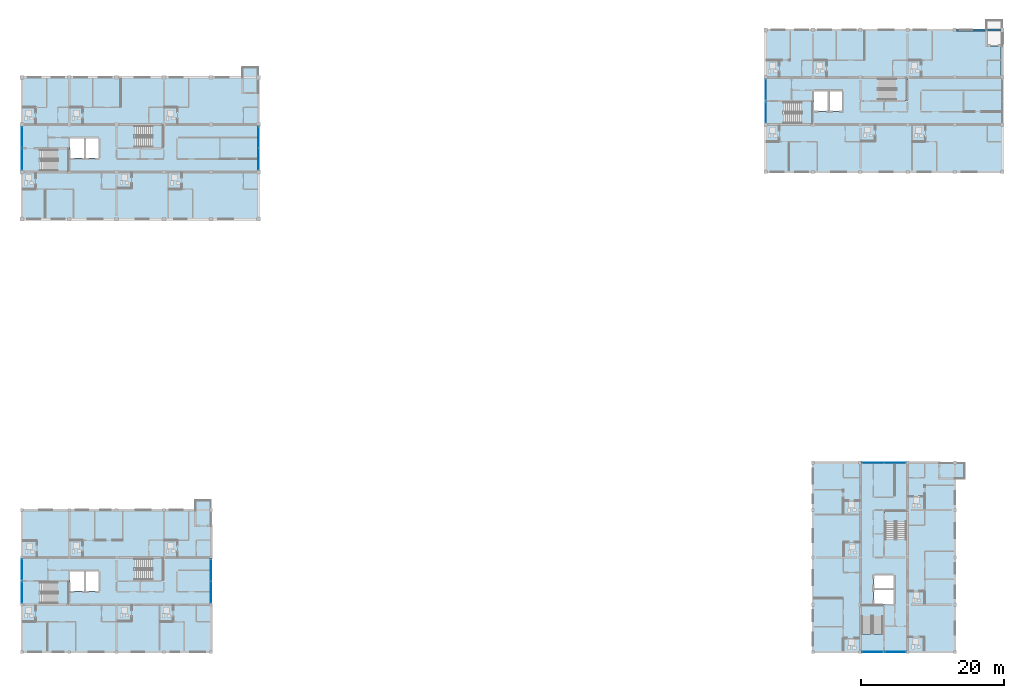
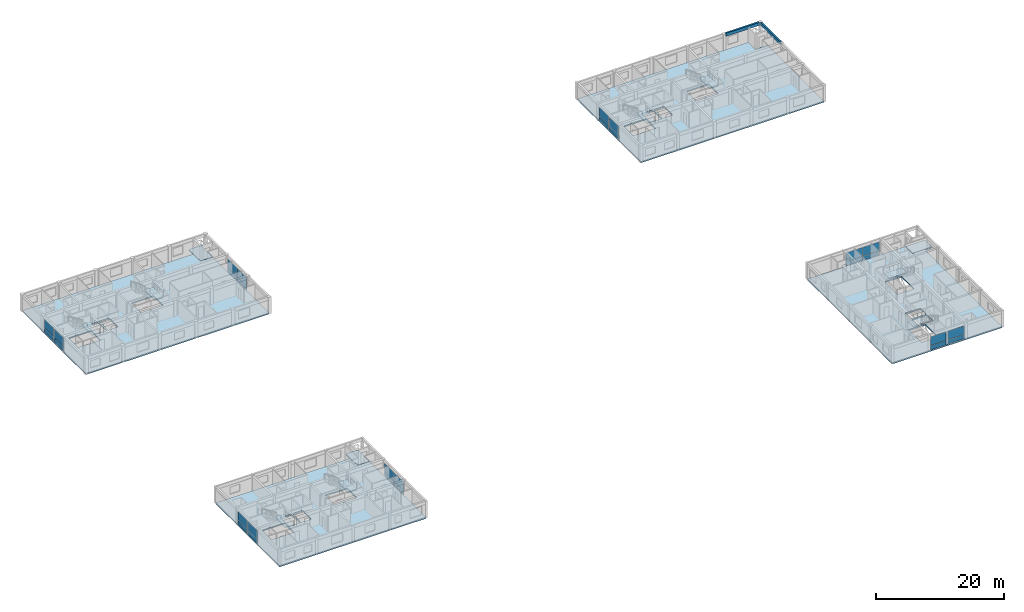
# One storey, part 22 of 45: 28 plates, 15 slabs, 2 beams, 19 elements without a shape of their own.
"""IFC4 building model written with IfcOpenShell, lengths in metres."""

from ifc_helpers import new_model, si_unit, direction, frame, origin, origin_2d, place, context, subcontext, project, spatial, polyline, rectangle, outline, extrude, material, layer, layer_set, material_profile, profile_set, type_object, element, aggregate, save


model = new_model("IFC4")

# Units and contexts
model_context = context("Model", 3, precision=1e-05, world=origin(), true_north=direction((0.0, 1.0)))
body_context = subcontext(model_context, "Body", "Model", "MODEL_VIEW")
ifc_project = project(units=[si_unit("LENGTHUNIT", "METRE"), si_unit("AREAUNIT", "SQUARE_METRE"), si_unit("VOLUMEUNIT", "CUBIC_METRE"), si_unit("PLANEANGLEUNIT", "RADIAN"), si_unit("MASSUNIT", "GRAM", prefix="KILO")], contexts=[model_context])

# Site, building, storey
site_placement = place(None, origin())
site = spatial("IfcSite", under=ifc_project, at=site_placement, CompositionType="ELEMENT")
building_placement = place(site_placement, origin())
building = spatial("IfcBuilding", under=site, at=building_placement, Name="Kernevlak Ridge Housing Community", CompositionType="ELEMENT")
storey_placement = place(building_placement, frame((0.0, 0.0, 21.199951171875)))
storey = spatial("IfcBuildingStorey", under=building, at=storey_placement, Name="L06", CompositionType="ELEMENT", Elevation=21.199951171875)

# Beams
ifc_material_1 = material(Name="Concrete C35/45", Category="concrete")
ifc_material_profile_1 = material_profile(ifc_material_1, rectangle(XDim=0.300048828125, YDim=0.550048828125, at=origin_2d()), Name="RC 300x550")
ifc_profile_set_1 = profile_set([ifc_material_profile_1], Name="Concrete C35/45")
beam_type_1 = type_object("IfcBeamType", Name="SP-01", PredefinedType="SPANDREL", material=ifc_profile_set_1)
beam_1_placement = place(storey_placement, frame((152.39990234375, 96.050048828125, 2.925048828125), z_axis=(0.0, 1.0, 0.0), x_axis=(-1.0, 0.0, 0.0)))
element("IfcBeam", 1, at=beam_1_placement, inside=storey, type_object=beam_type_1, Name="Beam SP-01 L06 758", PredefinedType="SPANDREL", context=body_context, shape_type="SweptSolid", body=[
    extrude(rectangle(XDim=0.300048828125, YDim=0.550048828125, at=origin_2d()), origin(), (0.0, 0.0, 1.0), 6.099853515625),
])
ifc_material_profile_2 = material_profile(ifc_material_1, rectangle(XDim=0.300048828125, YDim=0.60009765625, at=origin_2d()), Name="RC 300x600")
ifc_profile_set_2 = profile_set([ifc_material_profile_2], Name="Concrete C35/45")
beam_type_2 = type_object("IfcBeamType", Name="SP-02", PredefinedType="SPANDREL", material=ifc_profile_set_2)
beam_2_placement = place(storey_placement, frame((146.050048828125, 102.39990234375, 2.900146484375), z_axis=(1.0, 0.0, 0.0), x_axis=(0.0, 1.0, 0.0)))
element("IfcBeam", 2, at=beam_2_placement, inside=storey, type_object=beam_type_2, Name="Beam SP-02 L06 752", PredefinedType="SPANDREL", context=body_context, shape_type="SweptSolid", body=[
    extrude(rectangle(XDim=0.300048828125, YDim=0.60009765625, at=origin_2d()), origin(), (0.0, 0.0, 1.0), 6.099853515625),
])

# Curtain wall, plate
ifc_material_2 = material(Name="Aluminium EN AW-6060 anodised and laminated glass", Category="aluminium")
curtain_wall_type_1 = type_object("IfcCurtainWallType", Name="CW-01", PredefinedType="NOTDEFINED", material=ifc_material_2)
curtain_wall_1_placement = place(storey_placement, origin())
curtain_wall_1 = element("IfcCurtainWall", 3, at=curtain_wall_1_placement, inside=storey, type_object=curtain_wall_type_1, Name="Curtain wall CW-01 CW-L06-019", PredefinedType="NOTDEFINED")
ifc_material_3 = material(Name="Solar-control double glazing glass", Category="glass")
ifc_layer_1 = layer(ifc_material_3, 0.02392578125, Name="Solar-control double glazing glass")
ifc_layer_set_1 = layer_set([ifc_layer_1], Name="Solar-control double glazing glass")
plate_type_1 = type_object("IfcPlateType", Name="CP-01", PredefinedType="CURTAIN_PANEL", material=ifc_layer_set_1)
plate_1_placement = place(storey_placement, frame((15.60009765625, 84.33251953125, 0.8798828125), z_axis=(0.0, 0.0, 1.0), x_axis=(0.0, 1.0, 0.0)))
plate_1 = element("IfcPlate", 4, at=plate_1_placement, type_object=plate_type_1, Name="CW-01 panel 1.2", PredefinedType="CURTAIN_PANEL", context=body_context, shape_type="SweptSolid", body=[
    extrude(rectangle(XDim=2.794921875, YDim=0.02392578125, at=origin_2d()), origin(), (0.0, 0.0, 1.0), 1.659912109375),
])

curtain_wall_type_2 = type_object("IfcCurtainWallType", Name="CW-07", PredefinedType="NOTDEFINED", material=ifc_material_2)
curtain_wall_2_placement = place(storey_placement, origin())
curtain_wall_2 = element("IfcCurtainWall", 5, at=curtain_wall_2_placement, inside=storey, type_object=curtain_wall_type_2, Name="Curtain wall CW-07 CW-L06-020", PredefinedType="NOTDEFINED")
plate_2_placement = place(storey_placement, frame((15.60009765625, 87.467529296875, 0.88232421875), z_axis=(0.0, 0.0, 1.0), x_axis=(0.0, 1.0, 0.0)))
plate_2 = element("IfcPlate", 6, at=plate_2_placement, type_object=plate_type_1, Name="CW-07 panel 1.2", PredefinedType="CURTAIN_PANEL", context=body_context, shape_type="SweptSolid", body=[
    extrude(rectangle(XDim=2.784912109375, YDim=0.02392578125, at=origin_2d()), origin(), (0.0, 0.0, 1.0), 1.652587890625),
])

# Curtain wall, plates
curtain_wall_type_3 = type_object("IfcCurtainWallType", Name="CW-12", PredefinedType="NOTDEFINED", material=ifc_material_2)
curtain_wall_3_placement = place(storey_placement, origin())
curtain_wall_3 = element("IfcCurtainWall", 7, at=curtain_wall_3_placement, inside=storey, type_object=curtain_wall_type_3, Name="Curtain wall CW-12 CW-L06-021", PredefinedType="NOTDEFINED")
plate_3_placement = place(storey_placement, frame((48.60009765625, 84.4013671875, 0.87744140625), z_axis=(0.0, 0.0, 1.0), x_axis=(0.0, 1.0, 0.0)))
plate_3 = element("IfcPlate", 8, at=plate_3_placement, type_object=plate_type_1, Name="CW-12 panel 1.2", PredefinedType="CURTAIN_PANEL", context=body_context, shape_type="SweptSolid", body=[
    extrude(rectangle(XDim=2.9423828125, YDim=0.02392578125, at=origin_2d()), origin(), (0.0, 0.0, 1.0), 1.66748046875),
])
plate_4_placement = place(storey_placement, frame((48.60009765625, 87.398681640625, 0.87744140625), z_axis=(0.0, 0.0, 1.0), x_axis=(0.0, 1.0, 0.0)))
plate_4 = element("IfcPlate", 9, at=plate_4_placement, type_object=plate_type_1, Name="CW-12 panel 2.2", PredefinedType="CURTAIN_PANEL", context=body_context, shape_type="SweptSolid", body=[
    extrude(rectangle(XDim=2.9423828125, YDim=0.02392578125, at=origin_2d()), origin(), (0.0, 0.0, 1.0), 1.66748046875),
])

# Curtain wall, plate
curtain_wall_type_4 = type_object("IfcCurtainWallType", Name="CW-04", PredefinedType="NOTDEFINED", material=ifc_material_2)
curtain_wall_4_placement = place(storey_placement, origin())
curtain_wall_4 = element("IfcCurtainWall", 10, at=curtain_wall_4_placement, inside=storey, type_object=curtain_wall_type_4, Name="Curtain wall CW-04 CW-L06-073", PredefinedType="NOTDEFINED")
plate_5_placement = place(storey_placement, frame((119.39990234375, 90.919921875, 0.8798828125), z_axis=(0.0, 0.0, 1.0), x_axis=(0.0, 1.0, 0.0)))
plate_5 = element("IfcPlate", 11, at=plate_5_placement, type_object=plate_type_1, Name="CW-04 panel 1.2", PredefinedType="CURTAIN_PANEL", context=body_context, shape_type="SweptSolid", body=[
    extrude(rectangle(XDim=2.820068359375, YDim=0.02392578125, at=origin_2d()), origin(), (0.0, 0.0, 1.0), 1.659912109375),
])

curtain_wall_type_5 = type_object("IfcCurtainWallType", Name="CW-10", PredefinedType="NOTDEFINED", material=ifc_material_2)
curtain_wall_5_placement = place(storey_placement, origin())
curtain_wall_5 = element("IfcCurtainWall", 12, at=curtain_wall_5_placement, inside=storey, type_object=curtain_wall_type_5, Name="Curtain wall CW-10 CW-L06-074", PredefinedType="NOTDEFINED")
plate_6_placement = place(storey_placement, frame((119.39990234375, 94.080078125, 0.88232421875), z_axis=(0.0, 0.0, 1.0), x_axis=(0.0, 1.0, 0.0)))
plate_6 = element("IfcPlate", 13, at=plate_6_placement, type_object=plate_type_1, Name="CW-10 panel 1.2", PredefinedType="CURTAIN_PANEL", context=body_context, shape_type="SweptSolid", body=[
    extrude(rectangle(XDim=2.81005859375, YDim=0.02392578125, at=origin_2d()), origin(), (0.0, 0.0, 1.0), 1.652587890625),
])

curtain_wall_6_placement = place(storey_placement, origin())
curtain_wall_6 = element("IfcCurtainWall", 14, at=curtain_wall_6_placement, inside=storey, type_object=curtain_wall_type_2, Name="Curtain wall CW-07 CW-L06-118", PredefinedType="NOTDEFINED")
plate_7_placement = place(storey_placement, frame((134.3076171875, 15.60009765625, 0.8798828125), z_axis=(0.0, 0.0, 1.0), x_axis=(1.0, 0.0, 0.0)))
plate_7 = element("IfcPlate", 15, at=plate_7_placement, type_object=plate_type_1, Name="CW-07 panel 1.2", PredefinedType="CURTAIN_PANEL", context=body_context, shape_type="SweptSolid", body=[
    extrude(rectangle(XDim=2.844970703125, YDim=0.02392578125, at=origin_2d()), origin(), (0.0, 0.0, 1.0), 1.659912109375),
])

curtain_wall_type_6 = type_object("IfcCurtainWallType", Name="CW-13", PredefinedType="NOTDEFINED", material=ifc_material_2)
curtain_wall_7_placement = place(storey_placement, origin())
curtain_wall_7 = element("IfcCurtainWall", 16, at=curtain_wall_7_placement, inside=storey, type_object=curtain_wall_type_6, Name="Curtain wall CW-13 CW-L06-119", PredefinedType="NOTDEFINED")
plate_8_placement = place(storey_placement, frame((137.492431640625, 15.60009765625, 0.88232421875), z_axis=(0.0, 0.0, 1.0), x_axis=(1.0, 0.0, 0.0)))
plate_8 = element("IfcPlate", 17, at=plate_8_placement, type_object=plate_type_1, Name="CW-13 panel 1.2", PredefinedType="CURTAIN_PANEL", context=body_context, shape_type="SweptSolid", body=[
    extrude(rectangle(XDim=2.8349609375, YDim=0.02392578125, at=origin_2d()), origin(), (0.0, 0.0, 1.0), 1.652587890625),
])

# Curtain wall, plates
curtain_wall_type_7 = type_object("IfcCurtainWallType", Name="CW-02", PredefinedType="NOTDEFINED", material=ifc_material_2)
curtain_wall_8_placement = place(storey_placement, origin())
curtain_wall_8 = element("IfcCurtainWall", 18, at=curtain_wall_8_placement, inside=storey, type_object=curtain_wall_type_7, Name="Curtain wall CW-02 CW-L06-120", PredefinedType="NOTDEFINED")
plate_9_placement = place(storey_placement, frame((134.376220703125, 42.0, 0.87744140625), z_axis=(0.0, 0.0, 1.0), x_axis=(1.0, 0.0, 0.0)))
plate_9 = element("IfcPlate", 19, at=plate_9_placement, type_object=plate_type_1, Name="CW-02 panel 1.2", PredefinedType="CURTAIN_PANEL", context=body_context, shape_type="SweptSolid", body=[
    extrude(rectangle(XDim=2.992431640625, YDim=0.02392578125, at=origin_2d()), origin(), (0.0, 0.0, 1.0), 1.66748046875),
])
plate_10_placement = place(storey_placement, frame((137.423828125, 42.0, 0.87744140625), z_axis=(0.0, 0.0, 1.0), x_axis=(1.0, 0.0, 0.0)))
plate_10 = element("IfcPlate", 20, at=plate_10_placement, type_object=plate_type_1, Name="CW-02 panel 2.2", PredefinedType="CURTAIN_PANEL", context=body_context, shape_type="SweptSolid", body=[
    extrude(rectangle(XDim=2.992431640625, YDim=0.02392578125, at=origin_2d()), origin(), (0.0, 0.0, 1.0), 1.66748046875),
])

# Curtain wall, plate
curtain_wall_9_placement = place(storey_placement, origin())
curtain_wall_9 = element("IfcCurtainWall", 21, at=curtain_wall_9_placement, inside=storey, type_object=curtain_wall_type_5, Name="Curtain wall CW-10 CW-L06-157", PredefinedType="NOTDEFINED")
plate_11_placement = place(storey_placement, frame((15.60009765625, 23.89501953125, 0.8798828125), z_axis=(0.0, 0.0, 1.0), x_axis=(0.0, 1.0, 0.0)))
plate_11 = element("IfcPlate", 22, at=plate_11_placement, type_object=plate_type_1, Name="CW-10 panel 1.2", PredefinedType="CURTAIN_PANEL", context=body_context, shape_type="SweptSolid", body=[
    extrude(rectangle(XDim=2.8701171875, YDim=0.02392578125, at=origin_2d()), origin(), (0.0, 0.0, 1.0), 1.659912109375),
])

curtain_wall_10_placement = place(storey_placement, origin())
curtain_wall_10 = element("IfcCurtainWall", 23, at=curtain_wall_10_placement, inside=storey, type_object=curtain_wall_type_7, Name="Curtain wall CW-02 CW-L06-158", PredefinedType="NOTDEFINED")
plate_12_placement = place(storey_placement, frame((15.60009765625, 27.10498046875, 0.88232421875), z_axis=(0.0, 0.0, 1.0), x_axis=(0.0, 1.0, 0.0)))
plate_12 = element("IfcPlate", 24, at=plate_12_placement, type_object=plate_type_1, Name="CW-02 panel 1.2", PredefinedType="CURTAIN_PANEL", context=body_context, shape_type="SweptSolid", body=[
    extrude(rectangle(XDim=2.860107421875, YDim=0.02392578125, at=origin_2d()), origin(), (0.0, 0.0, 1.0), 1.652587890625),
])

# Curtain wall, plates
curtain_wall_11_placement = place(storey_placement, origin())
curtain_wall_11 = element("IfcCurtainWall", 25, at=curtain_wall_11_placement, inside=storey, type_object=curtain_wall_type_4, Name="Curtain wall CW-04 CW-L06-159", PredefinedType="NOTDEFINED")
plate_13_placement = place(storey_placement, frame((42.0, 23.9638671875, 0.87744140625), z_axis=(0.0, 0.0, 1.0), x_axis=(0.0, 1.0, 0.0)))
plate_13 = element("IfcPlate", 26, at=plate_13_placement, type_object=plate_type_1, Name="CW-04 panel 1.2", PredefinedType="CURTAIN_PANEL", context=body_context, shape_type="SweptSolid", body=[
    extrude(rectangle(XDim=3.017578125, YDim=0.02392578125, at=origin_2d()), origin(), (0.0, 0.0, 1.0), 1.66748046875),
])
plate_14_placement = place(storey_placement, frame((42.0, 27.0361328125, 0.87744140625), z_axis=(0.0, 0.0, 1.0), x_axis=(0.0, 1.0, 0.0)))
plate_14 = element("IfcPlate", 27, at=plate_14_placement, type_object=plate_type_1, Name="CW-04 panel 2.2", PredefinedType="CURTAIN_PANEL", context=body_context, shape_type="SweptSolid", body=[
    extrude(rectangle(XDim=3.017578125, YDim=0.02392578125, at=origin_2d()), origin(), (0.0, 0.0, 1.0), 1.66748046875),
])

# Plate
ifc_material_4 = material(Name="Aluminium EN AW-5005 enamelled panel", Category="aluminium")
ifc_layer_2 = layer(ifc_material_4, 0.033935546875, Name="Aluminium EN AW-5005 enamelled panel")
ifc_layer_set_2 = layer_set([ifc_layer_2], Name="Aluminium EN AW-5005 enamelled panel")
plate_type_2 = type_object("IfcPlateType", Name="CP-03", PredefinedType="CURTAIN_PANEL", material=ifc_layer_set_2)
plate_15_placement = place(storey_placement, frame((137.492431640625, 15.60009765625, 0.065185546875), z_axis=(0.0, 0.0, 1.0), x_axis=(1.0, 0.0, 0.0)))
plate_15 = element("IfcPlate", 28, at=plate_15_placement, type_object=plate_type_2, Name="CW-13 panel 1.1", PredefinedType="CURTAIN_PANEL", context=body_context, shape_type="SweptSolid", body=[
    extrude(rectangle(XDim=2.8349609375, YDim=0.033935546875, at=origin_2d()), origin(), (0.0, 0.0, 1.0), 0.75244140625),
])

aggregate(curtain_wall_7, [plate_15, plate_8])

plate_16_placement = place(storey_placement, frame((15.60009765625, 23.89501953125, 0.06005859375), z_axis=(0.0, 0.0, 1.0), x_axis=(0.0, 1.0, 0.0)))
plate_16 = element("IfcPlate", 29, at=plate_16_placement, type_object=plate_type_2, Name="CW-10 panel 1.1", PredefinedType="CURTAIN_PANEL", context=body_context, shape_type="SweptSolid", body=[
    extrude(rectangle(XDim=2.8701171875, YDim=0.033935546875, at=origin_2d()), origin(), (0.0, 0.0, 1.0), 0.760009765625),
])

aggregate(curtain_wall_9, [plate_16, plate_11])

ifc_layer_3 = layer(ifc_material_4, 0.0380859375, Name="Aluminium EN AW-5005 enamelled panel")
ifc_layer_set_3 = layer_set([ifc_layer_3], Name="Aluminium EN AW-5005 enamelled panel")
plate_type_3 = type_object("IfcPlateType", Name="CP-04", PredefinedType="CURTAIN_PANEL", material=ifc_layer_set_3)
plate_17_placement = place(storey_placement, frame((134.376220703125, 42.0, 0.054931640625), z_axis=(0.0, 0.0, 1.0), x_axis=(1.0, 0.0, 0.0)))
plate_17 = element("IfcPlate", 30, at=plate_17_placement, type_object=plate_type_3, Name="CW-02 panel 1.1", PredefinedType="CURTAIN_PANEL", context=body_context, shape_type="SweptSolid", body=[
    extrude(rectangle(XDim=2.992431640625, YDim=0.0380859375, at=origin_2d()), origin(), (0.0, 0.0, 1.0), 0.767578125),
])

plate_18_placement = place(storey_placement, frame((137.423828125, 42.0, 0.054931640625), z_axis=(0.0, 0.0, 1.0), x_axis=(1.0, 0.0, 0.0)))
plate_18 = element("IfcPlate", 31, at=plate_18_placement, type_object=plate_type_3, Name="CW-02 panel 2.1", PredefinedType="CURTAIN_PANEL", context=body_context, shape_type="SweptSolid", body=[
    extrude(rectangle(XDim=2.992431640625, YDim=0.0380859375, at=origin_2d()), origin(), (0.0, 0.0, 1.0), 0.767578125),
])

aggregate(curtain_wall_8, [plate_17, plate_9, plate_18, plate_10])

plate_19_placement = place(storey_placement, frame((15.60009765625, 27.10498046875, 0.065185546875), z_axis=(0.0, 0.0, 1.0), x_axis=(0.0, 1.0, 0.0)))
plate_19 = element("IfcPlate", 32, at=plate_19_placement, type_object=plate_type_3, Name="CW-02 panel 1.1", PredefinedType="CURTAIN_PANEL", context=body_context, shape_type="SweptSolid", body=[
    extrude(rectangle(XDim=2.860107421875, YDim=0.0380859375, at=origin_2d()), origin(), (0.0, 0.0, 1.0), 0.75244140625),
])

aggregate(curtain_wall_10, [plate_19, plate_12])

ifc_layer_4 = layer(ifc_material_4, 0.0419921875, Name="Aluminium EN AW-5005 enamelled panel")
ifc_layer_set_4 = layer_set([ifc_layer_4], Name="Aluminium EN AW-5005 enamelled panel")
plate_type_4 = type_object("IfcPlateType", Name="CP-05", PredefinedType="CURTAIN_PANEL", material=ifc_layer_set_4)
plate_20_placement = place(storey_placement, frame((15.60009765625, 84.33251953125, 0.06005859375), z_axis=(0.0, 0.0, 1.0), x_axis=(0.0, 1.0, 0.0)))
plate_20 = element("IfcPlate", 33, at=plate_20_placement, type_object=plate_type_4, Name="CW-01 panel 1.1", PredefinedType="CURTAIN_PANEL", context=body_context, shape_type="SweptSolid", body=[
    extrude(rectangle(XDim=2.794921875, YDim=0.0419921875, at=origin_2d()), origin(), (0.0, 0.0, 1.0), 0.760009765625),
])

aggregate(curtain_wall_1, [plate_20, plate_1])

plate_21_placement = place(storey_placement, frame((42.0, 23.9638671875, 0.054931640625), z_axis=(0.0, 0.0, 1.0), x_axis=(0.0, 1.0, 0.0)))
plate_21 = element("IfcPlate", 34, at=plate_21_placement, type_object=plate_type_4, Name="CW-04 panel 1.1", PredefinedType="CURTAIN_PANEL", context=body_context, shape_type="SweptSolid", body=[
    extrude(rectangle(XDim=3.017578125, YDim=0.0419921875, at=origin_2d()), origin(), (0.0, 0.0, 1.0), 0.767578125),
])

plate_22_placement = place(storey_placement, frame((42.0, 27.0361328125, 0.054931640625), z_axis=(0.0, 0.0, 1.0), x_axis=(0.0, 1.0, 0.0)))
plate_22 = element("IfcPlate", 35, at=plate_22_placement, type_object=plate_type_4, Name="CW-04 panel 2.1", PredefinedType="CURTAIN_PANEL", context=body_context, shape_type="SweptSolid", body=[
    extrude(rectangle(XDim=3.017578125, YDim=0.0419921875, at=origin_2d()), origin(), (0.0, 0.0, 1.0), 0.767578125),
])

aggregate(curtain_wall_11, [plate_21, plate_13, plate_22, plate_14])

ifc_material_5 = material(Name="Aluminium EN AW-5005 insulated panel", Category="aluminium")
ifc_layer_5 = layer(ifc_material_5, 0.0458984375, Name="Aluminium EN AW-5005 insulated panel")
ifc_layer_set_5 = layer_set([ifc_layer_5], Name="Aluminium EN AW-5005 insulated panel")
plate_type_5 = type_object("IfcPlateType", Name="CP-06", PredefinedType="CURTAIN_PANEL", material=ifc_layer_set_5)
plate_23_placement = place(storey_placement, frame((15.60009765625, 87.467529296875, 0.065185546875), z_axis=(0.0, 0.0, 1.0), x_axis=(0.0, 1.0, 0.0)))
plate_23 = element("IfcPlate", 36, at=plate_23_placement, type_object=plate_type_5, Name="CW-07 panel 1.1", PredefinedType="CURTAIN_PANEL", context=body_context, shape_type="SweptSolid", body=[
    extrude(rectangle(XDim=2.784912109375, YDim=0.0458984375, at=origin_2d()), origin(), (0.0, 0.0, 1.0), 0.75244140625),
])

aggregate(curtain_wall_2, [plate_23, plate_2])

plate_24_placement = place(storey_placement, frame((119.39990234375, 90.919921875, 0.06005859375), z_axis=(0.0, 0.0, 1.0), x_axis=(0.0, 1.0, 0.0)))
plate_24 = element("IfcPlate", 37, at=plate_24_placement, type_object=plate_type_5, Name="CW-04 panel 1.1", PredefinedType="CURTAIN_PANEL", context=body_context, shape_type="SweptSolid", body=[
    extrude(rectangle(XDim=2.820068359375, YDim=0.0458984375, at=origin_2d()), origin(), (0.0, 0.0, 1.0), 0.760009765625),
])

aggregate(curtain_wall_4, [plate_24, plate_5])

ifc_layer_6 = layer(ifc_material_5, 0.050048828125, Name="Aluminium EN AW-5005 insulated panel")
ifc_layer_set_6 = layer_set([ifc_layer_6], Name="Aluminium EN AW-5005 insulated panel")
plate_type_6 = type_object("IfcPlateType", Name="CP-07", PredefinedType="CURTAIN_PANEL", material=ifc_layer_set_6)
plate_25_placement = place(storey_placement, frame((48.60009765625, 84.4013671875, 0.054931640625), z_axis=(0.0, 0.0, 1.0), x_axis=(0.0, 1.0, 0.0)))
plate_25 = element("IfcPlate", 38, at=plate_25_placement, type_object=plate_type_6, Name="CW-12 panel 1.1", PredefinedType="CURTAIN_PANEL", context=body_context, shape_type="SweptSolid", body=[
    extrude(rectangle(XDim=2.9423828125, YDim=0.050048828125, at=origin_2d()), origin(), (0.0, 0.0, 1.0), 0.767578125),
])

plate_26_placement = place(storey_placement, frame((48.60009765625, 87.398681640625, 0.054931640625), z_axis=(0.0, 0.0, 1.0), x_axis=(0.0, 1.0, 0.0)))
plate_26 = element("IfcPlate", 39, at=plate_26_placement, type_object=plate_type_6, Name="CW-12 panel 2.1", PredefinedType="CURTAIN_PANEL", context=body_context, shape_type="SweptSolid", body=[
    extrude(rectangle(XDim=2.9423828125, YDim=0.050048828125, at=origin_2d()), origin(), (0.0, 0.0, 1.0), 0.767578125),
])

aggregate(curtain_wall_3, [plate_25, plate_3, plate_26, plate_4])

plate_27_placement = place(storey_placement, frame((119.39990234375, 94.080078125, 0.065185546875), z_axis=(0.0, 0.0, 1.0), x_axis=(0.0, 1.0, 0.0)))
plate_27 = element("IfcPlate", 40, at=plate_27_placement, type_object=plate_type_6, Name="CW-10 panel 1.1", PredefinedType="CURTAIN_PANEL", context=body_context, shape_type="SweptSolid", body=[
    extrude(rectangle(XDim=2.81005859375, YDim=0.050048828125, at=origin_2d()), origin(), (0.0, 0.0, 1.0), 0.75244140625),
])

aggregate(curtain_wall_5, [plate_27, plate_6])

plate_28_placement = place(storey_placement, frame((134.3076171875, 15.60009765625, 0.06005859375), z_axis=(0.0, 0.0, 1.0), x_axis=(1.0, 0.0, 0.0)))
plate_28 = element("IfcPlate", 41, at=plate_28_placement, type_object=plate_type_6, Name="CW-07 panel 1.1", PredefinedType="CURTAIN_PANEL", context=body_context, shape_type="SweptSolid", body=[
    extrude(rectangle(XDim=2.844970703125, YDim=0.050048828125, at=origin_2d()), origin(), (0.0, 0.0, 1.0), 0.760009765625),
])

aggregate(curtain_wall_6, [plate_28, plate_7])

# Slabs
ifc_layer_7 = layer(ifc_material_1, 0.239990234375, Name="Concrete C35/45")
ifc_layer_set_7 = layer_set([ifc_layer_7], Name="Concrete C35/45")
slab_type_1 = type_object("IfcSlabType", Name="SL-03", PredefinedType="FLOOR", material=ifc_layer_set_7)
slab_1_placement = place(storey_placement, frame((0.0, 0.0, -0.239990234375)))
element("IfcSlab", 42, at=slab_1_placement, inside=storey, type_object=slab_type_1, Name="Block A level L06 floor slab", PredefinedType="FLOOR", context=body_context, shape_type="SweptSolid", body=[
    extrude(outline(polyline([(15.60009765625, 76.0), (48.60009765625, 76.0), (48.60009765625, 93.60009765625), (46.39990234375, 93.60009765625), (46.39990234375, 95.800048828125), (15.60009765625, 95.800048828125), (15.60009765625, 76.0)]), holes=[polyline([(18.139892578125, 85.75), (22.1201171875, 85.75), (22.1201171875, 82.75), (18.139892578125, 82.75), (18.139892578125, 85.75)]), polyline([(31.340087890625, 89.050048828125), (35.320068359375, 89.050048828125), (35.320068359375, 86.050048828125), (31.340087890625, 86.050048828125), (31.340087890625, 89.050048828125)]), polyline([(22.320068359375, 87.280029296875), (24.280029296875, 87.280029296875), (24.280029296875, 84.52001953125), (22.320068359375, 84.52001953125), (22.320068359375, 87.280029296875)]), polyline([(24.52001953125, 87.280029296875), (26.280029296875, 87.280029296875), (26.280029296875, 84.52001953125), (24.52001953125, 84.52001953125), (24.52001953125, 87.280029296875)])]), origin(), (0.0, 0.0, 1.0), 0.239990234375),
])
slab_2_placement = place(storey_placement, frame((0.0, 0.0, -0.239990234375)))
element("IfcSlab", 43, at=slab_2_placement, inside=storey, type_object=slab_type_1, Name="Block B level L06 floor slab", PredefinedType="FLOOR", context=body_context, shape_type="SweptSolid", body=[
    extrude(outline(polyline([(119.39990234375, 82.60009765625), (152.39990234375, 82.60009765625), (152.39990234375, 100.199951171875), (150.199951171875, 100.199951171875), (150.199951171875, 102.39990234375), (119.39990234375, 102.39990234375), (119.39990234375, 82.60009765625)]), holes=[polyline([(121.93994140625, 92.35009765625), (125.919921875, 92.35009765625), (125.919921875, 89.35009765625), (121.93994140625, 89.35009765625), (121.93994140625, 92.35009765625)]), polyline([(135.139892578125, 95.64990234375), (139.1201171875, 95.64990234375), (139.1201171875, 92.64990234375), (135.139892578125, 92.64990234375), (135.139892578125, 95.64990234375)]), polyline([(126.1201171875, 93.8798828125), (128.080078125, 93.8798828125), (128.080078125, 91.1201171875), (126.1201171875, 91.1201171875), (126.1201171875, 93.8798828125)]), polyline([(128.320068359375, 93.8798828125), (130.080078125, 93.8798828125), (130.080078125, 91.1201171875), (128.320068359375, 91.1201171875), (128.320068359375, 93.8798828125)])]), origin(), (0.0, 0.0, 1.0), 0.239990234375),
])
slab_3_placement = place(storey_placement, frame((0.0, 0.0, -0.239990234375)))
element("IfcSlab", 44, at=slab_3_placement, inside=storey, type_object=slab_type_1, Name="Block C level L06 floor slab", PredefinedType="FLOOR", context=body_context, shape_type="SweptSolid", body=[
    extrude(outline(polyline([(145.800048828125, 15.60009765625), (145.800048828125, 39.800048828125), (143.60009765625, 39.800048828125), (143.60009765625, 42.0), (126.0, 42.0), (126.0, 15.60009765625), (145.800048828125, 15.60009765625)]), holes=[polyline([(132.75, 18.139892578125), (132.75, 22.1201171875), (135.75, 22.1201171875), (135.75, 18.139892578125), (132.75, 18.139892578125)]), polyline([(136.050048828125, 31.340087890625), (136.050048828125, 35.320068359375), (139.050048828125, 35.320068359375), (139.050048828125, 31.340087890625), (136.050048828125, 31.340087890625)]), polyline([(134.52001953125, 24.280029296875), (137.280029296875, 24.280029296875), (137.280029296875, 22.320068359375), (134.52001953125, 22.320068359375), (134.52001953125, 24.280029296875)]), polyline([(134.52001953125, 26.280029296875), (137.280029296875, 26.280029296875), (137.280029296875, 24.52001953125), (134.52001953125, 24.52001953125), (134.52001953125, 26.280029296875)])]), origin(), (0.0, 0.0, 1.0), 0.239990234375),
])
slab_4_placement = place(storey_placement, frame((0.0, 0.0, -0.239990234375)))
element("IfcSlab", 45, at=slab_4_placement, inside=storey, type_object=slab_type_1, Name="Block D level L06 floor slab", PredefinedType="FLOOR", context=body_context, shape_type="SweptSolid", body=[
    extrude(outline(polyline([(15.60009765625, 15.60009765625), (42.0, 15.60009765625), (42.0, 33.199951171875), (39.800048828125, 33.199951171875), (39.800048828125, 35.39990234375), (15.60009765625, 35.39990234375), (15.60009765625, 15.60009765625)]), holes=[polyline([(18.139892578125, 25.35009765625), (22.1201171875, 25.35009765625), (22.1201171875, 22.35009765625), (18.139892578125, 22.35009765625), (18.139892578125, 25.35009765625)]), polyline([(31.340087890625, 28.64990234375), (35.320068359375, 28.64990234375), (35.320068359375, 25.64990234375), (31.340087890625, 25.64990234375), (31.340087890625, 28.64990234375)]), polyline([(22.320068359375, 26.8798828125), (24.280029296875, 26.8798828125), (24.280029296875, 24.1201171875), (22.320068359375, 24.1201171875), (22.320068359375, 26.8798828125)]), polyline([(24.52001953125, 26.8798828125), (26.280029296875, 26.8798828125), (26.280029296875, 24.1201171875), (24.52001953125, 24.1201171875), (24.52001953125, 26.8798828125)])]), origin(), (0.0, 0.0, 1.0), 0.239990234375),
])
ifc_layer_8 = layer(ifc_material_1, 0.199951171875, Name="Concrete C35/45")
ifc_layer_set_8 = layer_set([ifc_layer_8], Name="Concrete C35/45")
slab_type_2 = type_object("IfcSlabType", Name="SL-05", PredefinedType="FLOOR", material=ifc_layer_set_8)
slab_5_placement = place(storey_placement, frame((0.0, 0.0, -0.199951171875)))
element("IfcSlab", 46, at=slab_5_placement, inside=storey, type_object=slab_type_2, Name="Block A L06 corner balcony deck slab", PredefinedType="FLOOR", context=body_context, shape_type="SweptSolid", body=[
    extrude(outline(polyline([(46.39990234375, 93.60009765625), (48.60009765625, 93.60009765625), (48.60009765625, 97.199951171875), (46.39990234375, 97.199951171875), (46.39990234375, 93.60009765625)])), origin(), (0.0, 0.0, 1.0), 0.199951171875),
])
slab_6_placement = place(storey_placement, frame((0.0, 0.0, -0.199951171875)))
element("IfcSlab", 47, at=slab_6_placement, inside=storey, type_object=slab_type_2, Name="Block C L06 corner balcony deck slab", PredefinedType="FLOOR", context=body_context, shape_type="SweptSolid", body=[
    extrude(outline(polyline([(147.199951171875, 39.800048828125), (147.199951171875, 42.0), (143.60009765625, 42.0), (143.60009765625, 39.800048828125), (147.199951171875, 39.800048828125)])), origin(), (0.0, 0.0, 1.0), 0.199951171875),
])
slab_7_placement = place(storey_placement, frame((0.0, 0.0, -0.199951171875)))
element("IfcSlab", 48, at=slab_7_placement, inside=storey, type_object=slab_type_2, Name="Block D L06 corner balcony deck slab", PredefinedType="FLOOR", context=body_context, shape_type="SweptSolid", body=[
    extrude(outline(polyline([(39.800048828125, 33.199951171875), (42.0, 33.199951171875), (42.0, 36.800048828125), (39.800048828125, 36.800048828125), (39.800048828125, 33.199951171875)])), origin(), (0.0, 0.0, 1.0), 0.199951171875),
])

# Stair, slab
stair_type = type_object("IfcStairType", Name="SR-01", PredefinedType="HALF_TURN_STAIR", material=ifc_material_1)
stair_1_placement = place(storey_placement, origin())
stair_1 = element("IfcStair", 49, at=stair_1_placement, inside=storey, type_object=stair_type, Name="Stair ST-A1 L06", PredefinedType="HALF_TURN_STAIR")
ifc_layer_9 = layer(ifc_material_1, 0.18994140625, Name="Concrete C35/45")
ifc_layer_set_9 = layer_set([ifc_layer_9], Name="Concrete C35/45")
slab_type_3 = type_object("IfcSlabType", Name="SL-13", PredefinedType="LANDING", material=ifc_layer_set_9)
slab_8_placement = place(storey_placement, frame((0.0, 0.0, 1.41015625)))
slab_8 = element("IfcSlab", 50, at=slab_8_placement, type_object=slab_type_3, Name="SR-01 landing 1", PredefinedType="LANDING", context=body_context, shape_type="SweptSolid", body=[
    extrude(outline(polyline([(20.5400390625, 82.64990234375), (22.14990234375, 82.64990234375), (22.14990234375, 85.85009765625), (20.5400390625, 85.85009765625), (20.5400390625, 82.64990234375)])), origin(), (0.0, 0.0, 1.0), 0.18994140625),
])
aggregate(stair_1, [slab_8])

stair_2_placement = place(storey_placement, origin())
stair_2 = element("IfcStair", 51, at=stair_2_placement, inside=storey, type_object=stair_type, Name="Stair ST-A2 L06", PredefinedType="HALF_TURN_STAIR")
slab_9_placement = place(storey_placement, frame((0.0, 0.0, 1.41015625)))
slab_9 = element("IfcSlab", 52, at=slab_9_placement, type_object=slab_type_3, Name="SR-01 landing 1", PredefinedType="LANDING", context=body_context, shape_type="SweptSolid", body=[
    extrude(outline(polyline([(33.739990234375, 85.949951171875), (35.35009765625, 85.949951171875), (35.35009765625, 89.14990234375), (33.739990234375, 89.14990234375), (33.739990234375, 85.949951171875)])), origin(), (0.0, 0.0, 1.0), 0.18994140625),
])
aggregate(stair_2, [slab_9])

stair_3_placement = place(storey_placement, origin())
stair_3 = element("IfcStair", 53, at=stair_3_placement, inside=storey, type_object=stair_type, Name="Stair ST-B1 L06", PredefinedType="HALF_TURN_STAIR")
slab_10_placement = place(storey_placement, frame((0.0, 0.0, 1.41015625)))
slab_10 = element("IfcSlab", 54, at=slab_10_placement, type_object=slab_type_3, Name="SR-01 landing 1", PredefinedType="LANDING", context=body_context, shape_type="SweptSolid", body=[
    extrude(outline(polyline([(124.340087890625, 89.25), (125.949951171875, 89.25), (125.949951171875, 92.449951171875), (124.340087890625, 92.449951171875), (124.340087890625, 89.25)])), origin(), (0.0, 0.0, 1.0), 0.18994140625),
])
aggregate(stair_3, [slab_10])

stair_4_placement = place(storey_placement, origin())
stair_4 = element("IfcStair", 55, at=stair_4_placement, inside=storey, type_object=stair_type, Name="Stair ST-B2 L06", PredefinedType="HALF_TURN_STAIR")
slab_11_placement = place(storey_placement, frame((0.0, 0.0, 1.41015625)))
slab_11 = element("IfcSlab", 56, at=slab_11_placement, type_object=slab_type_3, Name="SR-01 landing 1", PredefinedType="LANDING", context=body_context, shape_type="SweptSolid", body=[
    extrude(outline(polyline([(137.5400390625, 92.550048828125), (139.14990234375, 92.550048828125), (139.14990234375, 95.75), (137.5400390625, 95.75), (137.5400390625, 92.550048828125)])), origin(), (0.0, 0.0, 1.0), 0.18994140625),
])
aggregate(stair_4, [slab_11])

stair_5_placement = place(storey_placement, origin())
stair_5 = element("IfcStair", 57, at=stair_5_placement, inside=storey, type_object=stair_type, Name="Stair ST-C1 L06", PredefinedType="HALF_TURN_STAIR")
slab_12_placement = place(storey_placement, frame((0.0, 0.0, 1.41015625)))
slab_12 = element("IfcSlab", 58, at=slab_12_placement, type_object=slab_type_3, Name="SR-01 landing 1", PredefinedType="LANDING", context=body_context, shape_type="SweptSolid", body=[
    extrude(outline(polyline([(135.85009765625, 20.5400390625), (135.85009765625, 22.14990234375), (132.64990234375, 22.14990234375), (132.64990234375, 20.5400390625), (135.85009765625, 20.5400390625)])), origin(), (0.0, 0.0, 1.0), 0.18994140625),
])
aggregate(stair_5, [slab_12])

stair_6_placement = place(storey_placement, origin())
stair_6 = element("IfcStair", 59, at=stair_6_placement, inside=storey, type_object=stair_type, Name="Stair ST-C2 L06", PredefinedType="HALF_TURN_STAIR")
slab_13_placement = place(storey_placement, frame((0.0, 0.0, 1.41015625)))
slab_13 = element("IfcSlab", 60, at=slab_13_placement, type_object=slab_type_3, Name="SR-01 landing 1", PredefinedType="LANDING", context=body_context, shape_type="SweptSolid", body=[
    extrude(outline(polyline([(139.14990234375, 33.739990234375), (139.14990234375, 35.35009765625), (135.949951171875, 35.35009765625), (135.949951171875, 33.739990234375), (139.14990234375, 33.739990234375)])), origin(), (0.0, 0.0, 1.0), 0.18994140625),
])
aggregate(stair_6, [slab_13])

stair_7_placement = place(storey_placement, origin())
stair_7 = element("IfcStair", 61, at=stair_7_placement, inside=storey, type_object=stair_type, Name="Stair ST-D1 L06", PredefinedType="HALF_TURN_STAIR")
slab_14_placement = place(storey_placement, frame((0.0, 0.0, 1.41015625)))
slab_14 = element("IfcSlab", 62, at=slab_14_placement, type_object=slab_type_3, Name="SR-01 landing 1", PredefinedType="LANDING", context=body_context, shape_type="SweptSolid", body=[
    extrude(outline(polyline([(20.5400390625, 22.25), (22.14990234375, 22.25), (22.14990234375, 25.449951171875), (20.5400390625, 25.449951171875), (20.5400390625, 22.25)])), origin(), (0.0, 0.0, 1.0), 0.18994140625),
])
aggregate(stair_7, [slab_14])

stair_8_placement = place(storey_placement, origin())
stair_8 = element("IfcStair", 63, at=stair_8_placement, inside=storey, type_object=stair_type, Name="Stair ST-D2 L06", PredefinedType="HALF_TURN_STAIR")
slab_15_placement = place(storey_placement, frame((0.0, 0.0, 1.41015625)))
slab_15 = element("IfcSlab", 64, at=slab_15_placement, type_object=slab_type_3, Name="SR-01 landing 1", PredefinedType="LANDING", context=body_context, shape_type="SweptSolid", body=[
    extrude(outline(polyline([(33.739990234375, 25.550048828125), (35.35009765625, 25.550048828125), (35.35009765625, 28.75), (33.739990234375, 28.75), (33.739990234375, 25.550048828125)])), origin(), (0.0, 0.0, 1.0), 0.18994140625),
])
aggregate(stair_8, [slab_15])

save(model, "model.ifc")
